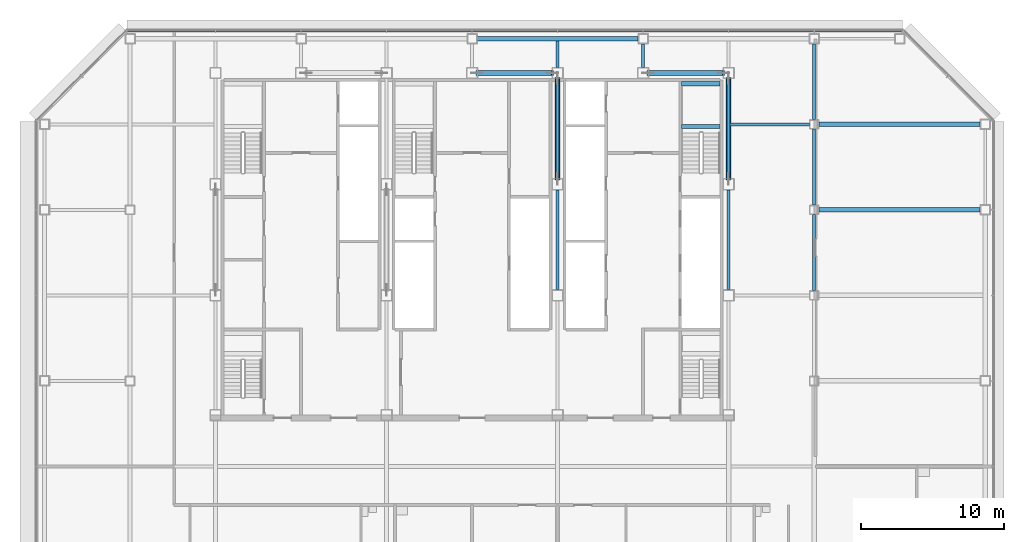
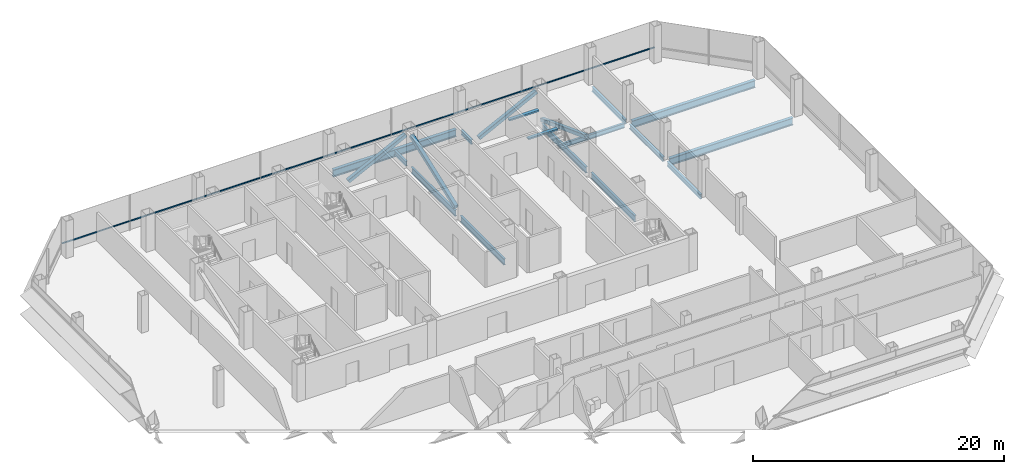
# One storey, part 13 of 24: 15 beams, 5 members, 1 element without a shape of its own.
"""IFC4 building model written with IfcOpenShell, lengths in metres."""

from ifc_helpers import new_model, si_unit, direction, frame, origin, origin_2d, place, context, subcontext, project, spatial, rectangle, hollow_rectangle, i_section, extrude, material, material_profile, profile_set, type_object, element, aggregate, save


model = new_model("IFC4")

# Units and contexts
model_context = context("Model", 3, precision=1e-05, world=origin(), true_north=direction((0.0, 1.0)))
body_context = subcontext(model_context, "Body", "Model", "MODEL_VIEW")
ifc_project = project(units=[si_unit("LENGTHUNIT", "METRE"), si_unit("AREAUNIT", "SQUARE_METRE"), si_unit("VOLUMEUNIT", "CUBIC_METRE"), si_unit("PLANEANGLEUNIT", "RADIAN"), si_unit("MASSUNIT", "GRAM", prefix="KILO")], contexts=[model_context])

# Site, building, storey
site_placement = place(None, origin())
site = spatial("IfcSite", under=ifc_project, at=site_placement, CompositionType="ELEMENT")
building_placement = place(site_placement, origin())
building = spatial("IfcBuilding", under=site, at=building_placement, Name="Sorahane Residences", CompositionType="ELEMENT")
storey_placement = place(building_placement, frame((0.0, 0.0, 174.39990234375)))
storey = spatial("IfcBuildingStorey", under=building, at=storey_placement, Name="L40", CompositionType="ELEMENT", Elevation=174.39990234375)

# Members
ifc_material_1 = material(Name="Steel Q355B", Category="steel")
ifc_material_profile_1 = material_profile(ifc_material_1, hollow_rectangle(XDim=0.35009765625, YDim=0.35009765625, WallThickness=0.01806640625, InnerFilletRadius=0.009033203125, OuterFilletRadius=0.027099609375, at=origin_2d()), Name="RHS 350x350x18")
ifc_profile_set_1 = profile_set([ifc_material_profile_1], Name="Steel Q355B")
member_type_1 = type_object("IfcMemberType", Name="Core brace RHS 350x350x18 Q355B", PredefinedType="BRACE", material=ifc_profile_set_1)
for number, where, z_axis, x_axis, name in (
    (1, (24.352783203125, 45.60009765625, 0.1513671875), (0.893055794866, 0.0, 0.449945938149), (0.0, 1.0, 0.0), "Core brace L40 y45.6-4"),
    (2, (36.352783203125, 45.60009765625, 0.1513671875), (0.893055794866, 0.0, 0.449945938149), (0.0, 1.0, 0.0), "Core brace L40 y45.6-6"),
):
    element("IfcMember", number, at=place(storey_placement, frame(where, z_axis=z_axis, x_axis=x_axis)), inside=storey, type_object=member_type_1, Name=name, PredefinedType="BRACE", context=body_context, shape_type="SweptSolid", body=[
        extrude(hollow_rectangle(XDim=0.35009765625, YDim=0.35009765625, WallThickness=0.01806640625, InnerFilletRadius=0.009033203125, OuterFilletRadius=0.027099609375, at=origin_2d()), origin(), (0.0, 0.0, 1.0), 5.928466796875),
    ])
for number, where, z_axis, x_axis, name in (
    (3, (42.0, 45.23681640625, 0.161376953125), (0.0, -0.936554808937, 0.350521168914), (1.0, 0.0, 0.0), "Core brace L40 x42-3"),
    (4, (30.0, 38.1630859375, 0.161376953125), (0.0, 0.936554808937, 0.350521168914), (-1.0, 0.0, 0.0), "Core brace L40 x30-2"),
):
    element("IfcMember", number, at=place(storey_placement, frame(where, z_axis=z_axis, x_axis=x_axis)), inside=storey, type_object=member_type_1, Name=name, PredefinedType="BRACE", context=body_context, shape_type="SweptSolid", body=[
        extrude(hollow_rectangle(XDim=0.35009765625, YDim=0.35009765625, WallThickness=0.01806640625, InnerFilletRadius=0.009033203125, OuterFilletRadius=0.027099609375, at=origin_2d()), origin(), (0.0, 0.0, 1.0), 7.552978515625),
    ])

# Curtain wall, member
ifc_material_2 = material(Name="Dark low-e glass and black anodised aluminium", Category="aluminium")
curtain_wall_type = type_object("IfcCurtainWallType", Name="Curtain wall CW-1 Typical unitised wall", PredefinedType="NOTDEFINED", material=ifc_material_2)
curtain_wall_placement = place(storey_placement, origin())
curtain_wall = element("IfcCurtainWall", 5, at=curtain_wall_placement, inside=storey, type_object=curtain_wall_type, Name="CW-1 curtain wall L40 N1", PredefinedType="NOTDEFINED")
ifc_material_3 = material(Name="Black anodised aluminium", Category="aluminium")
ifc_material_profile_2 = material_profile(ifc_material_3, rectangle(XDim=0.10009765625, YDim=0.06005859375, at=origin_2d()), Name="Curtain wall transom CW-1 black anodised aluminium 60x100")
ifc_profile_set_2 = profile_set([ifc_material_profile_2], Name="Black anodised aluminium")
member_type_2 = type_object("IfcMemberType", Name="Curtain wall transom CW-1 black anodised aluminium 60x100", PredefinedType="USERDEFINED", material=ifc_profile_set_2)
member_placement = place(storey_placement, frame((54.198486328125, 48.530029296875, 0.900146484375), z_axis=(-1.0, 0.0, 0.0), x_axis=(0.0, -1.0, 0.0)))
member = element("IfcMember", 6, at=member_placement, type_object=member_type_2, Name="CW-1 transom L40 N1", ObjectType="TRANSOM", PredefinedType="USERDEFINED", context=body_context, shape_type="SweptSolid", body=[
    extrude(rectangle(XDim=0.10009765625, YDim=0.06005859375, at=origin_2d()), origin(), (0.0, 0.0, 1.0), 54.39697265625),
])
aggregate(curtain_wall, [member])

# Beams
ifc_material_4 = material(Name="Concrete C40", Category="concrete")
ifc_material_profile_3 = material_profile(ifc_material_4, rectangle(XDim=0.300048828125, YDim=0.139892578125, at=origin_2d()), Name="300x140")
ifc_profile_set_3 = profile_set([ifc_material_profile_3], Name="Concrete C40")
beam_type_1 = type_object("IfcBeamType", Name="RC landing beam 300 x 140 Concrete C40", PredefinedType="BEAM", material=ifc_profile_set_3)
for number, where, z_axis, x_axis, name in (
    (7, (38.699951171875, 41.85009765625, 1.530029296875), (1.0, 0.0, 0.0), (0.0, 1.0, 0.0), "Landing beam"),
    (8, (38.699951171875, 44.85009765625, 1.530029296875), (1.0, 0.0, 0.0), (0.0, 1.0, 0.0), "Landing beam"),
):
    element("IfcBeam", number, at=place(storey_placement, frame(where, z_axis=z_axis, x_axis=x_axis)), inside=storey, type_object=beam_type_1, Name=name, PredefinedType="BEAM", context=body_context, shape_type="SweptSolid", body=[
        extrude(rectangle(XDim=0.300048828125, YDim=0.139892578125, at=origin_2d()), origin(), (0.0, 0.0, 1.0), 2.699951171875),
    ])
ifc_material_5 = material(Name="Steel Q355B", Category="steel")
ifc_material_profile_4 = material_profile(ifc_material_5, i_section(OverallWidth=0.199951171875, OverallDepth=0.449951171875, WebThickness=0.009033203125, FlangeThickness=0.013916015625, FilletRadius=0.02001953125, at=origin_2d()), Name="HN 450x200x9x14")
ifc_profile_set_4 = profile_set([ifc_material_profile_4], Name="Steel Q355B")
beam_type_2 = type_object("IfcBeamType", Name="Steel floor beam HN 450x200x9x14 Q355B", PredefinedType="BEAM", material=ifc_profile_set_4)
beam_1_placement = place(storey_placement, frame((30.0, 46.0, -0.40478515625), z_axis=(0.0, 1.0, 0.0), x_axis=(-1.0, 0.0, 0.0)))
element("IfcBeam", 9, at=beam_1_placement, inside=storey, type_object=beam_type_2, Name="Beam L40 049", PredefinedType="BEAM", context=body_context, shape_type="SweptSolid", body=[
    extrude(i_section(OverallWidth=0.199951171875, OverallDepth=0.449951171875, WebThickness=0.009033203125, FlangeThickness=0.013916015625, FilletRadius=0.02001953125, at=origin_2d()), origin(), (0.0, 0.0, 1.0), 1.85009765625),
])
beam_2_placement = place(storey_placement, frame((36.0, 46.0, -0.40478515625), z_axis=(0.0, 1.0, 0.0), x_axis=(-1.0, 0.0, 0.0)))
element("IfcBeam", 10, at=beam_2_placement, inside=storey, type_object=beam_type_2, Name="Beam L40 051", PredefinedType="BEAM", context=body_context, shape_type="SweptSolid", body=[
    extrude(i_section(OverallWidth=0.199951171875, OverallDepth=0.449951171875, WebThickness=0.009033203125, FlangeThickness=0.013916015625, FilletRadius=0.02001953125, at=origin_2d()), origin(), (0.0, 0.0, 1.0), 1.64990234375),
])
for number, where, z_axis, x_axis, name in (
    (11, (48.0, 30.324951171875, -0.40478515625), (0.0, 1.0, 0.0), (-1.0, 0.0, 0.0), "Beam L40 061"),
    (12, (48.0, 36.324951171875, -0.40478515625), (0.0, 1.0, 0.0), (-1.0, 0.0, 0.0), "Beam L40 062"),
):
    element("IfcBeam", number, at=place(storey_placement, frame(where, z_axis=z_axis, x_axis=x_axis)), inside=storey, type_object=beam_type_2, Name=name, PredefinedType="BEAM", context=body_context, shape_type="SweptSolid", body=[
        extrude(i_section(OverallWidth=0.199951171875, OverallDepth=0.449951171875, WebThickness=0.009033203125, FlangeThickness=0.013916015625, FilletRadius=0.02001953125, at=origin_2d()), origin(), (0.0, 0.0, 1.0), 5.35009765625),
    ])
beam_3_placement = place(storey_placement, frame((48.0, 42.324951171875, -0.40478515625), z_axis=(0.0, 1.0, 0.0), x_axis=(-1.0, 0.0, 0.0)))
element("IfcBeam", 13, at=beam_3_placement, inside=storey, type_object=beam_type_2, Name="Beam L40 063", PredefinedType="BEAM", context=body_context, shape_type="SweptSolid", body=[
    extrude(i_section(OverallWidth=0.199951171875, OverallDepth=0.449951171875, WebThickness=0.009033203125, FlangeThickness=0.013916015625, FilletRadius=0.02001953125, at=origin_2d()), origin(), (0.0, 0.0, 1.0), 5.324951171875),
])
beam_4_placement = place(storey_placement, frame((42.10009765625, 42.0, -0.40478515625), z_axis=(1.0, 0.0, 0.0), x_axis=(0.0, 1.0, 0.0)))
element("IfcBeam", 14, at=beam_4_placement, inside=storey, type_object=beam_type_2, Name="Beam L40 091", PredefinedType="BEAM", context=body_context, shape_type="SweptSolid", body=[
    extrude(i_section(OverallWidth=0.199951171875, OverallDepth=0.449951171875, WebThickness=0.009033203125, FlangeThickness=0.013916015625, FilletRadius=0.02001953125, at=origin_2d()), origin(), (0.0, 0.0, 1.0), 5.574951171875),
])
ifc_material_6 = material(Name="Steel Q355B", Category="steel")
ifc_material_profile_5 = material_profile(ifc_material_6, i_section(OverallWidth=0.199951171875, OverallDepth=0.60009765625, WebThickness=0.010986328125, FlangeThickness=0.01708984375, FilletRadius=0.02392578125, at=origin_2d()), Name="HN 600x200x11x17")
ifc_profile_set_5 = profile_set([ifc_material_profile_5], Name="Steel Q355B")
beam_type_3 = type_object("IfcBeamType", Name="Steel floor beam HN 600x200x11x17 Q355B", PredefinedType="BEAM", material=ifc_profile_set_5)
for number, where, z_axis, x_axis, name in (
    (15, (30.0, 30.39990234375, -0.47998046875), (0.0, 1.0, 0.0), (-1.0, 0.0, 0.0), "Beam L40 047"),
    (16, (30.0, 38.199951171875, -0.47998046875), (0.0, 1.0, 0.0), (-1.0, 0.0, 0.0), "Beam L40 048"),
    (17, (42.0, 30.39990234375, -0.47998046875), (0.0, 1.0, 0.0), (-1.0, 0.0, 0.0), "Beam L40 055"),
    (18, (42.0, 38.199951171875, -0.47998046875), (0.0, 1.0, 0.0), (-1.0, 0.0, 0.0), "Beam L40 056"),
):
    element("IfcBeam", number, at=place(storey_placement, frame(where, z_axis=z_axis, x_axis=x_axis)), inside=storey, type_object=beam_type_3, Name=name, PredefinedType="BEAM", context=body_context, shape_type="SweptSolid", body=[
        extrude(i_section(OverallWidth=0.199951171875, OverallDepth=0.60009765625, WebThickness=0.010986328125, FlangeThickness=0.01708984375, FilletRadius=0.02392578125, at=origin_2d()), origin(), (0.0, 0.0, 1.0), 7.0),
    ])
ifc_material_7 = material(Name="Steel Q355B", Category="steel")
ifc_material_profile_6 = material_profile(ifc_material_7, i_section(OverallWidth=0.300048828125, OverallDepth=0.699951171875, WebThickness=0.012939453125, FlangeThickness=0.02392578125, FilletRadius=0.028076171875, at=origin_2d()), Name="HN 700x300x13x24")
ifc_profile_set_6 = profile_set([ifc_material_profile_6], Name="Steel Q355B")
beam_type_4 = type_object("IfcBeamType", Name="Steel floor beam HN 700x300x13x24 Q355B", PredefinedType="BEAM", material=ifc_profile_set_6)
beam_5_placement = place(storey_placement, frame((48.324951171875, 36.0, -0.52978515625), z_axis=(1.0, 0.0, 0.0), x_axis=(0.0, 1.0, 0.0)))
element("IfcBeam", 19, at=beam_5_placement, inside=storey, type_object=beam_type_4, Name="Beam L40 014", PredefinedType="BEAM", context=body_context, shape_type="SweptSolid", body=[
    extrude(i_section(OverallWidth=0.300048828125, OverallDepth=0.699951171875, WebThickness=0.012939453125, FlangeThickness=0.02392578125, FilletRadius=0.028076171875, at=origin_2d()), origin(), (0.0, 0.0, 1.0), 11.324951171875),
])
beam_6_placement = place(storey_placement, frame((24.35009765625, 48.0, -0.52978515625), z_axis=(1.0, 0.0, 0.0), x_axis=(0.0, 1.0, 0.0)))
element("IfcBeam", 20, at=beam_6_placement, inside=storey, type_object=beam_type_4, Name="Beam L40 017", PredefinedType="BEAM", context=body_context, shape_type="SweptSolid", body=[
    extrude(i_section(OverallWidth=0.300048828125, OverallDepth=0.699951171875, WebThickness=0.012939453125, FlangeThickness=0.02392578125, FilletRadius=0.028076171875, at=origin_2d()), origin(), (0.0, 0.0, 1.0), 11.2998046875),
])
beam_7_placement = place(storey_placement, frame((48.324951171875, 42.0, -0.52978515625), z_axis=(1.0, 0.0, 0.0), x_axis=(0.0, 1.0, 0.0)))
element("IfcBeam", 21, at=beam_7_placement, inside=storey, type_object=beam_type_4, Name="Beam L40 092", PredefinedType="BEAM", context=body_context, shape_type="SweptSolid", body=[
    extrude(i_section(OverallWidth=0.300048828125, OverallDepth=0.699951171875, WebThickness=0.012939453125, FlangeThickness=0.02392578125, FilletRadius=0.028076171875, at=origin_2d()), origin(), (0.0, 0.0, 1.0), 11.324951171875),
])

save(model, "model.ifc")
